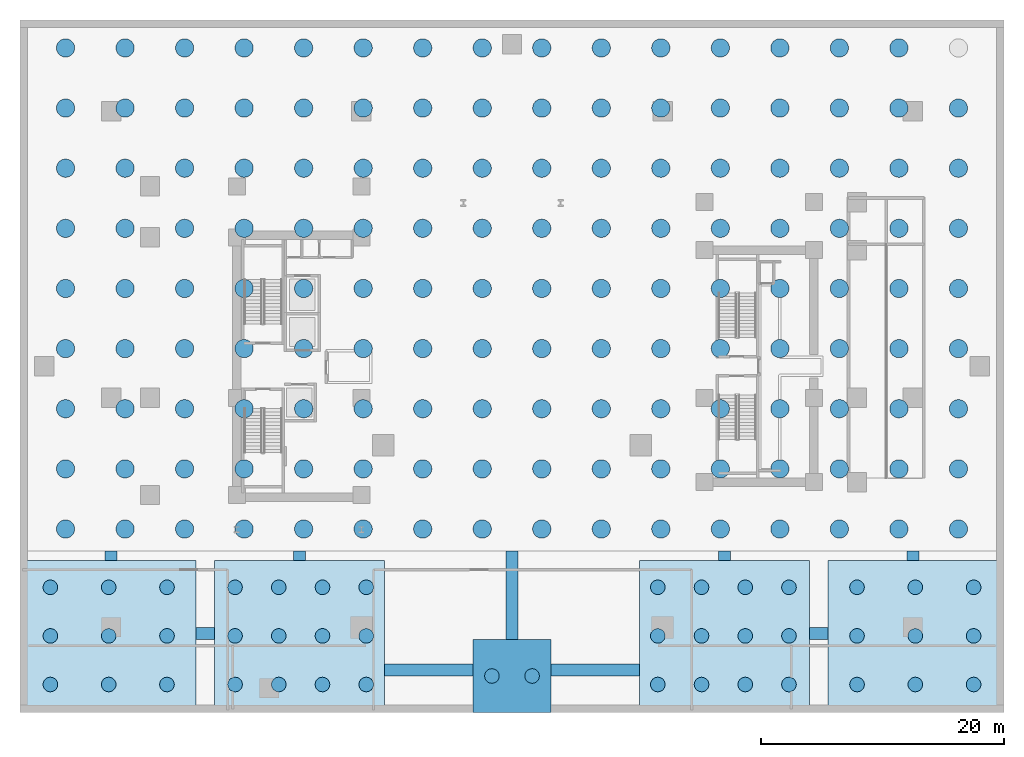
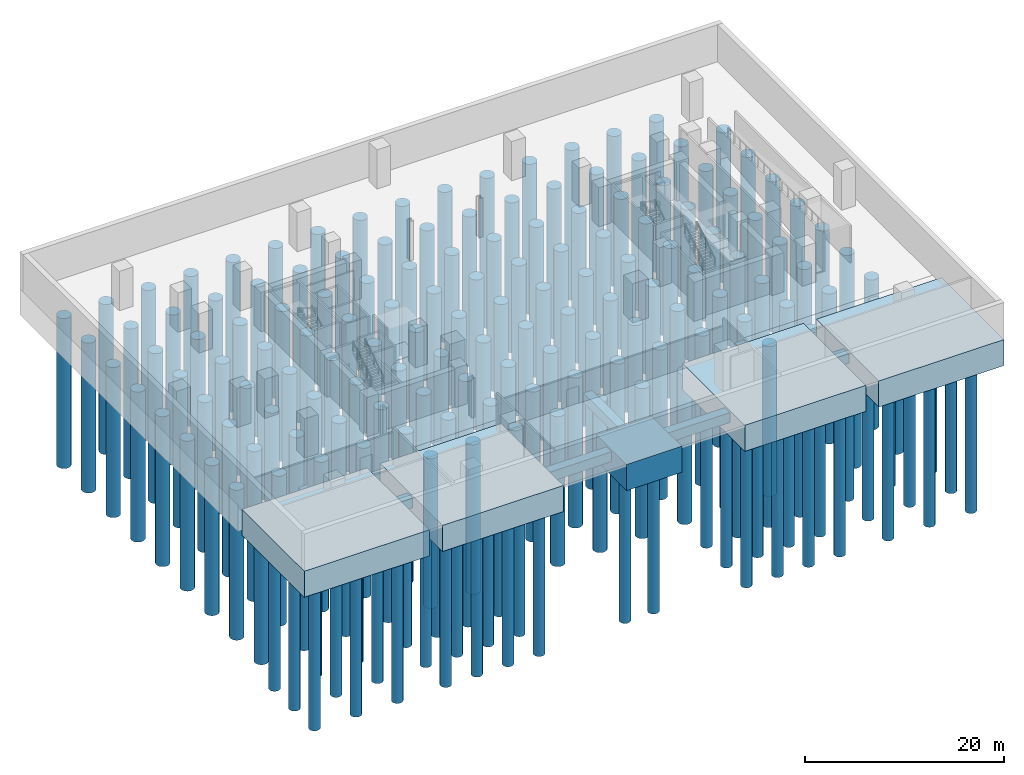
# One storey, part 1 of 10: 187 piles, 14 footings.
"""IFC4 building model written with IfcOpenShell, lengths in metres."""

from ifc_helpers import new_model, si_unit, direction, frame, origin, origin_2d, place, context, subcontext, project, spatial, polyline, rectangle, circle, outline, extrude, source, transform, mapped, material, material_profile, profile_set, type_object, element, save


model = new_model("IFC4")

# Units and contexts
model_context = context("Model", 3, precision=1e-05, world=origin(), true_north=direction((0.0, 1.0)))
body_context = subcontext(model_context, "Body", "Model", "MODEL_VIEW")
ifc_project = project(units=[si_unit("LENGTHUNIT", "METRE"), si_unit("AREAUNIT", "SQUARE_METRE"), si_unit("VOLUMEUNIT", "CUBIC_METRE"), si_unit("PLANEANGLEUNIT", "RADIAN"), si_unit("MASSUNIT", "GRAM", prefix="KILO")], contexts=[model_context])

# Site, building, storey
site_placement = place(None, origin())
site = spatial("IfcSite", under=ifc_project, at=site_placement, CompositionType="ELEMENT")
building_placement = place(site_placement, origin())
building = spatial("IfcBuilding", under=site, at=building_placement, Name="Valdorenza Pilgrim Sanctuary Tower", CompositionType="ELEMENT")
storey_placement = place(building_placement, frame((0.0, 0.0, -9.60009765625)))
storey = spatial("IfcBuildingStorey", under=building, at=storey_placement, Name="B02", CompositionType="ELEMENT", Elevation=-9.60009765625)

# Footings
ifc_material = material(Name="Concrete C50/60", Category="concrete")
footing_type_1 = type_object("IfcFootingType", Name="FTG-GB-1000", PredefinedType="FOOTING_BEAM", material=ifc_material)
footing_1_placement = place(storey_placement, frame((0.0, 0.0, -1.4599609375)))
element("IfcFooting", 1, at=footing_1_placement, inside=storey, type_object=footing_type_1, Name="Foundation Tie Beam GB-SW-W", PredefinedType="FOOTING_BEAM", context=body_context, shape_type="SweptSolid", body=[
    extrude(outline(polyline([(-26.0, -22.5), (-24.5, -22.5), (-24.5, -21.5), (-26.0, -21.5), (-26.0, -22.5)])), origin(), (0.0, 0.0, 1.0), 1.199951171875),
])
footing_2_placement = place(storey_placement, frame((0.0, 0.0, -1.4599609375)))
element("IfcFooting", 2, at=footing_2_placement, inside=storey, type_object=footing_type_1, Name="Foundation Tie Beam GB-W-CTR", PredefinedType="FOOTING_BEAM", context=body_context, shape_type="SweptSolid", body=[
    extrude(outline(polyline([(-10.5, -25.5), (-3.199951171875, -25.5), (-3.199951171875, -24.5), (-10.5, -24.5), (-10.5, -25.5)])), origin(), (0.0, 0.0, 1.0), 1.199951171875),
])
footing_3_placement = place(storey_placement, frame((0.0, 0.0, -1.4599609375)))
element("IfcFooting", 3, at=footing_3_placement, inside=storey, type_object=footing_type_1, Name="Foundation Tie Beam GB-CTR-E", PredefinedType="FOOTING_BEAM", context=body_context, shape_type="SweptSolid", body=[
    extrude(outline(polyline([(3.199951171875, -25.5), (10.5, -25.5), (10.5, -24.5), (3.199951171875, -24.5), (3.199951171875, -25.5)])), origin(), (0.0, 0.0, 1.0), 1.199951171875),
])
footing_4_placement = place(storey_placement, frame((0.0, 0.0, -1.4599609375)))
element("IfcFooting", 4, at=footing_4_placement, inside=storey, type_object=footing_type_1, Name="Foundation Tie Beam GB-E-SE", PredefinedType="FOOTING_BEAM", context=body_context, shape_type="SweptSolid", body=[
    extrude(outline(polyline([(24.5, -22.5), (26.0, -22.5), (26.0, -21.5), (24.5, -21.5), (24.5, -22.5)])), origin(), (0.0, 0.0, 1.0), 1.199951171875),
])
footing_5_placement = place(storey_placement, frame((0.0, 0.0, -1.4599609375)))
element("IfcFooting", 5, at=footing_5_placement, inside=storey, type_object=footing_type_1, Name="Foundation Tie Beam GB-N-SW", PredefinedType="FOOTING_BEAM", context=body_context, shape_type="SweptSolid", body=[
    extrude(outline(polyline([(-33.5, -16.0), (-32.5, -16.0), (-32.5, -15.199951171875), (-33.5, -15.199951171875), (-33.5, -16.0)])), origin(), (0.0, 0.0, 1.0), 1.199951171875),
])
footing_6_placement = place(storey_placement, frame((0.0, 0.0, -1.4599609375)))
element("IfcFooting", 6, at=footing_6_placement, inside=storey, type_object=footing_type_1, Name="Foundation Tie Beam GB-N-WA", PredefinedType="FOOTING_BEAM", context=body_context, shape_type="SweptSolid", body=[
    extrude(outline(polyline([(-18.0, -16.0), (-17.0, -16.0), (-17.0, -15.199951171875), (-18.0, -15.199951171875), (-18.0, -16.0)])), origin(), (0.0, 0.0, 1.0), 1.199951171875),
])
footing_7_placement = place(storey_placement, frame((0.0, 0.0, -1.4599609375)))
element("IfcFooting", 7, at=footing_7_placement, inside=storey, type_object=footing_type_1, Name="Foundation Tie Beam GB-N-CT", PredefinedType="FOOTING_BEAM", context=body_context, shape_type="SweptSolid", body=[
    extrude(outline(polyline([(-0.5, -22.5), (0.5, -22.5), (0.5, -15.199951171875), (-0.5, -15.199951171875), (-0.5, -22.5)])), origin(), (0.0, 0.0, 1.0), 1.199951171875),
])
footing_8_placement = place(storey_placement, frame((0.0, 0.0, -1.4599609375)))
element("IfcFooting", 8, at=footing_8_placement, inside=storey, type_object=footing_type_1, Name="Foundation Tie Beam GB-N-EA", PredefinedType="FOOTING_BEAM", context=body_context, shape_type="SweptSolid", body=[
    extrude(outline(polyline([(17.0, -16.0), (18.0, -16.0), (18.0, -15.199951171875), (17.0, -15.199951171875), (17.0, -16.0)])), origin(), (0.0, 0.0, 1.0), 1.199951171875),
])
footing_9_placement = place(storey_placement, frame((0.0, 0.0, -1.4599609375)))
element("IfcFooting", 9, at=footing_9_placement, inside=storey, type_object=footing_type_1, Name="Foundation Tie Beam GB-N-SE", PredefinedType="FOOTING_BEAM", context=body_context, shape_type="SweptSolid", body=[
    extrude(outline(polyline([(32.5, -16.0), (33.5, -16.0), (33.5, -15.199951171875), (32.5, -15.199951171875), (32.5, -16.0)])), origin(), (0.0, 0.0, 1.0), 1.199951171875),
])
footing_type_2 = type_object("IfcFootingType", Name="FTG-PC1-14000", PredefinedType="PILE_CAP", material=ifc_material)
shared_shape_1 = source(origin(), body_context, "Body", "SweptSolid", [
    extrude(rectangle(XDim=14.0, YDim=12.5, at=origin_2d()), origin(), (0.0, 0.0, 1.0), 3.199951171875),
])
for number, where, z_axis, x_axis, name in (
    (10, (-17.5, -22.25, -3.19970703125), (0.0, 0.0, 1.0), (1.0, 0.0, 0.0), "West Arch Thrust Pile Cap PC-01"),
    (11, (17.5, -22.25, -3.19970703125), (0.0, 0.0, 1.0), (1.0, 0.0, 0.0), "East Arch Thrust Pile Cap PC-02"),
):
    element("IfcFooting", number, at=place(storey_placement, frame(where, z_axis=z_axis, x_axis=x_axis)), inside=storey, type_object=footing_type_2, Name=name, PredefinedType="PILE_CAP", context=body_context, shape_type="MappedRepresentation", body=[
        mapped(shared_shape_1, transform((0.0, 0.0, 0.0), x_axis=(1.0, 0.0, 0.0), y_axis=(0.0, 1.0, 0.0), z_axis=(0.0, 0.0, 1.0), scale=1.0)),
    ])
footing_type_3 = type_object("IfcFootingType", Name="FTG-PC3-12000", PredefinedType="PILE_CAP", material=ifc_material)
shared_shape_2 = source(origin(), body_context, "Body", "SweptSolid", [
    extrude(rectangle(XDim=14.5, YDim=12.5, at=origin_2d()), origin(), (0.0, 0.0, 1.0), 3.199951171875),
])
for number, where, z_axis, x_axis, name in (
    (12, (-33.25, -22.25, -3.19970703125), (0.0, 0.0, 1.0), (1.0, 0.0, 0.0), "South-West Podium Pile Cap PC-03"),
    (13, (33.25, -22.25, -3.19970703125), (0.0, 0.0, 1.0), (1.0, 0.0, 0.0), "South-East Podium Pile Cap PC-04"),
):
    element("IfcFooting", number, at=place(storey_placement, frame(where, z_axis=z_axis, x_axis=x_axis)), inside=storey, type_object=footing_type_3, Name=name, PredefinedType="PILE_CAP", context=body_context, shape_type="MappedRepresentation", body=[
        mapped(shared_shape_2, transform((0.0, 0.0, 0.0), x_axis=(1.0, 0.0, 0.0), y_axis=(0.0, 1.0, 0.0), z_axis=(0.0, 0.0, 1.0), scale=1.0)),
    ])
footing_type_4 = type_object("IfcFootingType", Name="FTG-PC5-6400", PredefinedType="PILE_CAP", material=ifc_material)
shared_shape_3 = source(origin(), body_context, "Body", "SweptSolid", [
    extrude(rectangle(XDim=6.39990234375, YDim=6.0, at=origin_2d()), origin(), (0.0, 0.0, 1.0), 3.199951171875),
])
footing_10_placement = place(storey_placement, frame((0.0, -25.5, -3.19970703125), z_axis=(0.0, 0.0, 1.0), x_axis=(1.0, 0.0, 0.0)))
element("IfcFooting", 14, at=footing_10_placement, inside=storey, type_object=footing_type_4, Name="Central Arch Threshold Pile Cap PC-05", PredefinedType="PILE_CAP", context=body_context, shape_type="MappedRepresentation", body=[
    mapped(shared_shape_3, transform((0.0, 0.0, 0.0), x_axis=(1.0, 0.0, 0.0), y_axis=(0.0, 1.0, 0.0), z_axis=(0.0, 0.0, 1.0), scale=1.0)),
])

# Piles
ifc_material_profile_1 = material_profile(ifc_material, circle(Radius=0.75, at=origin_2d()), Name="BORED PILE 1500")
ifc_profile_set_1 = profile_set([ifc_material_profile_1], Name="Concrete C50/60")
pile_type_1 = type_object("IfcPileType", Name="PIL-BOR-1500", PredefinedType="BORED", material=ifc_profile_set_1)
shared_shape_4 = source(origin(), body_context, "Body", "SweptSolid", [
    extrude(circle(Radius=0.75, at=origin_2d()), origin(), (0.0, 0.0, 1.0), 18.35009765625),
])
for number, where, z_axis, x_axis, name in (
    (15, (-36.75, -13.39990234375, -3.0498046875), (0.0, 0.0, -1.0), (1.0, 0.0, 0.0), "Bored Pile P-01 R01-01"),
    (16, (-36.75, -8.449951171875, -3.0498046875), (0.0, 0.0, -1.0), (1.0, 0.0, 0.0), "Bored Pile P-01 R01-02"),
    (17, (-36.75, -3.5, -3.0498046875), (0.0, 0.0, -1.0), (1.0, 0.0, 0.0), "Bored Pile P-01 R01-03"),
    (18, (-36.75, 1.449951171875, -3.0498046875), (0.0, 0.0, -1.0), (1.0, 0.0, 0.0), "Bored Pile P-01 R01-04"),
    (19, (-36.75, 6.39990234375, -3.0498046875), (0.0, 0.0, -1.0), (1.0, 0.0, 0.0), "Bored Pile P-01 R01-05"),
    (20, (-36.75, 11.35009765625, -3.0498046875), (0.0, 0.0, -1.0), (1.0, 0.0, 0.0), "Bored Pile P-01 R01-06"),
    (21, (-36.75, 16.300048828125, -3.0498046875), (0.0, 0.0, -1.0), (1.0, 0.0, 0.0), "Bored Pile P-01 R01-07"),
    (22, (-36.75, 21.25, -3.0498046875), (0.0, 0.0, -1.0), (1.0, 0.0, 0.0), "Bored Pile P-01 R01-08"),
    (23, (-36.75, 26.199951171875, -3.0498046875), (0.0, 0.0, -1.0), (1.0, 0.0, 0.0), "Bored Pile P-01 R01-09"),
    (24, (-31.85009765625, -13.39990234375, -3.0498046875), (0.0, 0.0, -1.0), (1.0, 0.0, 0.0), "Bored Pile P-01 R02-01"),
    (25, (-31.85009765625, -8.449951171875, -3.0498046875), (0.0, 0.0, -1.0), (1.0, 0.0, 0.0), "Bored Pile P-01 R02-02"),
    (26, (-31.85009765625, -3.5, -3.0498046875), (0.0, 0.0, -1.0), (1.0, 0.0, 0.0), "Bored Pile P-01 R02-03"),
    (27, (-31.85009765625, 1.449951171875, -3.0498046875), (0.0, 0.0, -1.0), (1.0, 0.0, 0.0), "Bored Pile P-01 R02-04"),
    (28, (-31.85009765625, 6.39990234375, -3.0498046875), (0.0, 0.0, -1.0), (1.0, 0.0, 0.0), "Bored Pile P-01 R02-05"),
    (29, (-31.85009765625, 11.35009765625, -3.0498046875), (0.0, 0.0, -1.0), (1.0, 0.0, 0.0), "Bored Pile P-01 R02-06"),
    (30, (-31.85009765625, 16.300048828125, -3.0498046875), (0.0, 0.0, -1.0), (1.0, 0.0, 0.0), "Bored Pile P-01 R02-07"),
    (31, (-31.85009765625, 21.25, -3.0498046875), (0.0, 0.0, -1.0), (1.0, 0.0, 0.0), "Bored Pile P-01 R02-08"),
    (32, (-31.85009765625, 26.199951171875, -3.0498046875), (0.0, 0.0, -1.0), (1.0, 0.0, 0.0), "Bored Pile P-01 R02-09"),
    (33, (-26.949951171875, -13.39990234375, -3.0498046875), (0.0, 0.0, -1.0), (1.0, 0.0, 0.0), "Bored Pile P-01 R03-01"),
    (34, (-26.949951171875, -8.449951171875, -3.0498046875), (0.0, 0.0, -1.0), (1.0, 0.0, 0.0), "Bored Pile P-01 R03-02"),
    (35, (-26.949951171875, -3.5, -3.0498046875), (0.0, 0.0, -1.0), (1.0, 0.0, 0.0), "Bored Pile P-01 R03-03"),
    (36, (-26.949951171875, 1.449951171875, -3.0498046875), (0.0, 0.0, -1.0), (1.0, 0.0, 0.0), "Bored Pile P-01 R03-04"),
    (37, (-26.949951171875, 6.39990234375, -3.0498046875), (0.0, 0.0, -1.0), (1.0, 0.0, 0.0), "Bored Pile P-01 R03-05"),
    (38, (-26.949951171875, 11.35009765625, -3.0498046875), (0.0, 0.0, -1.0), (1.0, 0.0, 0.0), "Bored Pile P-01 R03-06"),
    (39, (-26.949951171875, 16.300048828125, -3.0498046875), (0.0, 0.0, -1.0), (1.0, 0.0, 0.0), "Bored Pile P-01 R03-07"),
    (40, (-26.949951171875, 21.25, -3.0498046875), (0.0, 0.0, -1.0), (1.0, 0.0, 0.0), "Bored Pile P-01 R03-08"),
    (41, (-26.949951171875, 26.199951171875, -3.0498046875), (0.0, 0.0, -1.0), (1.0, 0.0, 0.0), "Bored Pile P-01 R03-09"),
    (42, (-22.050048828125, -13.39990234375, -3.0498046875), (0.0, 0.0, -1.0), (1.0, 0.0, 0.0), "Bored Pile P-01 R04-01"),
    (43, (-22.050048828125, -8.449951171875, -3.0498046875), (0.0, 0.0, -1.0), (1.0, 0.0, 0.0), "Bored Pile P-01 R04-02"),
    (44, (-22.050048828125, -3.5, -3.0498046875), (0.0, 0.0, -1.0), (1.0, 0.0, 0.0), "Bored Pile P-01 R04-03"),
    (45, (-22.050048828125, 1.449951171875, -3.0498046875), (0.0, 0.0, -1.0), (1.0, 0.0, 0.0), "Bored Pile P-01 R04-04"),
    (46, (-22.050048828125, 6.39990234375, -3.0498046875), (0.0, 0.0, -1.0), (1.0, 0.0, 0.0), "Bored Pile P-01 R04-05"),
    (47, (-22.050048828125, 11.35009765625, -3.0498046875), (0.0, 0.0, -1.0), (1.0, 0.0, 0.0), "Bored Pile P-01 R04-06"),
    (48, (-22.050048828125, 16.300048828125, -3.0498046875), (0.0, 0.0, -1.0), (1.0, 0.0, 0.0), "Bored Pile P-01 R04-07"),
    (49, (-22.050048828125, 21.25, -3.0498046875), (0.0, 0.0, -1.0), (1.0, 0.0, 0.0), "Bored Pile P-01 R04-08"),
    (50, (-22.050048828125, 26.199951171875, -3.0498046875), (0.0, 0.0, -1.0), (1.0, 0.0, 0.0), "Bored Pile P-01 R04-09"),
    (51, (-17.14990234375, -13.39990234375, -3.0498046875), (0.0, 0.0, -1.0), (1.0, 0.0, 0.0), "Bored Pile P-01 R05-01"),
    (52, (-17.14990234375, -8.449951171875, -3.0498046875), (0.0, 0.0, -1.0), (1.0, 0.0, 0.0), "Bored Pile P-01 R05-02"),
    (53, (-17.14990234375, -3.5, -3.0498046875), (0.0, 0.0, -1.0), (1.0, 0.0, 0.0), "Bored Pile P-01 R05-03"),
    (54, (-17.14990234375, 1.449951171875, -3.0498046875), (0.0, 0.0, -1.0), (1.0, 0.0, 0.0), "Bored Pile P-01 R05-04"),
    (55, (-17.14990234375, 6.39990234375, -3.0498046875), (0.0, 0.0, -1.0), (1.0, 0.0, 0.0), "Bored Pile P-01 R05-05"),
    (56, (-17.14990234375, 11.35009765625, -3.0498046875), (0.0, 0.0, -1.0), (1.0, 0.0, 0.0), "Bored Pile P-01 R05-06"),
    (57, (-17.14990234375, 16.300048828125, -3.0498046875), (0.0, 0.0, -1.0), (1.0, 0.0, 0.0), "Bored Pile P-01 R05-07"),
    (58, (-17.14990234375, 21.25, -3.0498046875), (0.0, 0.0, -1.0), (1.0, 0.0, 0.0), "Bored Pile P-01 R05-08"),
    (59, (-17.14990234375, 26.199951171875, -3.0498046875), (0.0, 0.0, -1.0), (1.0, 0.0, 0.0), "Bored Pile P-01 R05-09"),
    (60, (-12.25, -13.39990234375, -3.0498046875), (0.0, 0.0, -1.0), (1.0, 0.0, 0.0), "Bored Pile P-01 R06-01"),
    (61, (-12.25, -8.449951171875, -3.0498046875), (0.0, 0.0, -1.0), (1.0, 0.0, 0.0), "Bored Pile P-01 R06-02"),
    (62, (-12.25, -3.5, -3.0498046875), (0.0, 0.0, -1.0), (1.0, 0.0, 0.0), "Bored Pile P-01 R06-03"),
    (63, (-12.25, 1.449951171875, -3.0498046875), (0.0, 0.0, -1.0), (1.0, 0.0, 0.0), "Bored Pile P-01 R06-04"),
    (64, (-12.25, 6.39990234375, -3.0498046875), (0.0, 0.0, -1.0), (1.0, 0.0, 0.0), "Bored Pile P-01 R06-05"),
    (65, (-12.25, 11.35009765625, -3.0498046875), (0.0, 0.0, -1.0), (1.0, 0.0, 0.0), "Bored Pile P-01 R06-06"),
    (66, (-12.25, 16.300048828125, -3.0498046875), (0.0, 0.0, -1.0), (1.0, 0.0, 0.0), "Bored Pile P-01 R06-07"),
    (67, (-12.25, 21.25, -3.0498046875), (0.0, 0.0, -1.0), (1.0, 0.0, 0.0), "Bored Pile P-01 R06-08"),
    (68, (-12.25, 26.199951171875, -3.0498046875), (0.0, 0.0, -1.0), (1.0, 0.0, 0.0), "Bored Pile P-01 R06-09"),
    (69, (-7.35009765625, -13.39990234375, -3.0498046875), (0.0, 0.0, -1.0), (1.0, 0.0, 0.0), "Bored Pile P-01 R07-01"),
    (70, (-7.35009765625, -8.449951171875, -3.0498046875), (0.0, 0.0, -1.0), (1.0, 0.0, 0.0), "Bored Pile P-01 R07-02"),
    (71, (-7.35009765625, -3.5, -3.0498046875), (0.0, 0.0, -1.0), (1.0, 0.0, 0.0), "Bored Pile P-01 R07-03"),
    (72, (-7.35009765625, 1.449951171875, -3.0498046875), (0.0, 0.0, -1.0), (1.0, 0.0, 0.0), "Bored Pile P-01 R07-04"),
    (73, (-7.35009765625, 6.39990234375, -3.0498046875), (0.0, 0.0, -1.0), (1.0, 0.0, 0.0), "Bored Pile P-01 R07-05"),
    (74, (-7.35009765625, 11.35009765625, -3.0498046875), (0.0, 0.0, -1.0), (1.0, 0.0, 0.0), "Bored Pile P-01 R07-06"),
    (75, (-7.35009765625, 16.300048828125, -3.0498046875), (0.0, 0.0, -1.0), (1.0, 0.0, 0.0), "Bored Pile P-01 R07-07"),
    (76, (-7.35009765625, 21.25, -3.0498046875), (0.0, 0.0, -1.0), (1.0, 0.0, 0.0), "Bored Pile P-01 R07-08"),
    (77, (-7.35009765625, 26.199951171875, -3.0498046875), (0.0, 0.0, -1.0), (1.0, 0.0, 0.0), "Bored Pile P-01 R07-09"),
    (78, (-2.449951171875, -13.39990234375, -3.0498046875), (0.0, 0.0, -1.0), (1.0, 0.0, 0.0), "Bored Pile P-01 R08-01"),
    (79, (-2.449951171875, -8.449951171875, -3.0498046875), (0.0, 0.0, -1.0), (1.0, 0.0, 0.0), "Bored Pile P-01 R08-02"),
    (80, (-2.449951171875, -3.5, -3.0498046875), (0.0, 0.0, -1.0), (1.0, 0.0, 0.0), "Bored Pile P-01 R08-03"),
    (81, (-2.449951171875, 1.449951171875, -3.0498046875), (0.0, 0.0, -1.0), (1.0, 0.0, 0.0), "Bored Pile P-01 R08-04"),
    (82, (-2.449951171875, 6.39990234375, -3.0498046875), (0.0, 0.0, -1.0), (1.0, 0.0, 0.0), "Bored Pile P-01 R08-05"),
    (83, (-2.449951171875, 11.35009765625, -3.0498046875), (0.0, 0.0, -1.0), (1.0, 0.0, 0.0), "Bored Pile P-01 R08-06"),
    (84, (-2.449951171875, 16.300048828125, -3.0498046875), (0.0, 0.0, -1.0), (1.0, 0.0, 0.0), "Bored Pile P-01 R08-07"),
    (85, (-2.449951171875, 21.25, -3.0498046875), (0.0, 0.0, -1.0), (1.0, 0.0, 0.0), "Bored Pile P-01 R08-08"),
    (86, (-2.449951171875, 26.199951171875, -3.0498046875), (0.0, 0.0, -1.0), (1.0, 0.0, 0.0), "Bored Pile P-01 R08-09"),
    (87, (2.449951171875, -13.39990234375, -3.0498046875), (0.0, 0.0, -1.0), (1.0, 0.0, 0.0), "Bored Pile P-01 R09-01"),
    (88, (2.449951171875, -8.449951171875, -3.0498046875), (0.0, 0.0, -1.0), (1.0, 0.0, 0.0), "Bored Pile P-01 R09-02"),
    (89, (2.449951171875, -3.5, -3.0498046875), (0.0, 0.0, -1.0), (1.0, 0.0, 0.0), "Bored Pile P-01 R09-03"),
    (90, (2.449951171875, 1.449951171875, -3.0498046875), (0.0, 0.0, -1.0), (1.0, 0.0, 0.0), "Bored Pile P-01 R09-04"),
    (91, (2.449951171875, 6.39990234375, -3.0498046875), (0.0, 0.0, -1.0), (1.0, 0.0, 0.0), "Bored Pile P-01 R09-05"),
    (92, (2.449951171875, 11.35009765625, -3.0498046875), (0.0, 0.0, -1.0), (1.0, 0.0, 0.0), "Bored Pile P-01 R09-06"),
    (93, (2.449951171875, 16.300048828125, -3.0498046875), (0.0, 0.0, -1.0), (1.0, 0.0, 0.0), "Bored Pile P-01 R09-07"),
    (94, (2.449951171875, 21.25, -3.0498046875), (0.0, 0.0, -1.0), (1.0, 0.0, 0.0), "Bored Pile P-01 R09-08"),
    (95, (2.449951171875, 26.199951171875, -3.0498046875), (0.0, 0.0, -1.0), (1.0, 0.0, 0.0), "Bored Pile P-01 R09-09"),
    (96, (7.35009765625, -13.39990234375, -3.0498046875), (0.0, 0.0, -1.0), (1.0, 0.0, 0.0), "Bored Pile P-01 R10-01"),
    (97, (7.35009765625, -8.449951171875, -3.0498046875), (0.0, 0.0, -1.0), (1.0, 0.0, 0.0), "Bored Pile P-01 R10-02"),
    (98, (7.35009765625, -3.5, -3.0498046875), (0.0, 0.0, -1.0), (1.0, 0.0, 0.0), "Bored Pile P-01 R10-03"),
    (99, (7.35009765625, 1.449951171875, -3.0498046875), (0.0, 0.0, -1.0), (1.0, 0.0, 0.0), "Bored Pile P-01 R10-04"),
    (100, (7.35009765625, 6.39990234375, -3.0498046875), (0.0, 0.0, -1.0), (1.0, 0.0, 0.0), "Bored Pile P-01 R10-05"),
    (101, (7.35009765625, 11.35009765625, -3.0498046875), (0.0, 0.0, -1.0), (1.0, 0.0, 0.0), "Bored Pile P-01 R10-06"),
    (102, (7.35009765625, 16.300048828125, -3.0498046875), (0.0, 0.0, -1.0), (1.0, 0.0, 0.0), "Bored Pile P-01 R10-07"),
    (103, (7.35009765625, 21.25, -3.0498046875), (0.0, 0.0, -1.0), (1.0, 0.0, 0.0), "Bored Pile P-01 R10-08"),
    (104, (7.35009765625, 26.199951171875, -3.0498046875), (0.0, 0.0, -1.0), (1.0, 0.0, 0.0), "Bored Pile P-01 R10-09"),
    (105, (12.25, -13.39990234375, -3.0498046875), (0.0, 0.0, -1.0), (1.0, 0.0, 0.0), "Bored Pile P-01 R11-01"),
    (106, (12.25, -8.449951171875, -3.0498046875), (0.0, 0.0, -1.0), (1.0, 0.0, 0.0), "Bored Pile P-01 R11-02"),
    (107, (12.25, -3.5, -3.0498046875), (0.0, 0.0, -1.0), (1.0, 0.0, 0.0), "Bored Pile P-01 R11-03"),
    (108, (12.25, 1.449951171875, -3.0498046875), (0.0, 0.0, -1.0), (1.0, 0.0, 0.0), "Bored Pile P-01 R11-04"),
    (109, (12.25, 6.39990234375, -3.0498046875), (0.0, 0.0, -1.0), (1.0, 0.0, 0.0), "Bored Pile P-01 R11-05"),
    (110, (12.25, 11.35009765625, -3.0498046875), (0.0, 0.0, -1.0), (1.0, 0.0, 0.0), "Bored Pile P-01 R11-06"),
    (111, (12.25, 16.300048828125, -3.0498046875), (0.0, 0.0, -1.0), (1.0, 0.0, 0.0), "Bored Pile P-01 R11-07"),
    (112, (12.25, 21.25, -3.0498046875), (0.0, 0.0, -1.0), (1.0, 0.0, 0.0), "Bored Pile P-01 R11-08"),
    (113, (12.25, 26.199951171875, -3.0498046875), (0.0, 0.0, -1.0), (1.0, 0.0, 0.0), "Bored Pile P-01 R11-09"),
    (114, (17.14990234375, -13.39990234375, -3.0498046875), (0.0, 0.0, -1.0), (1.0, 0.0, 0.0), "Bored Pile P-01 R12-01"),
    (115, (17.14990234375, -8.449951171875, -3.0498046875), (0.0, 0.0, -1.0), (1.0, 0.0, 0.0), "Bored Pile P-01 R12-02"),
    (116, (17.14990234375, -3.5, -3.0498046875), (0.0, 0.0, -1.0), (1.0, 0.0, 0.0), "Bored Pile P-01 R12-03"),
    (117, (17.14990234375, 1.449951171875, -3.0498046875), (0.0, 0.0, -1.0), (1.0, 0.0, 0.0), "Bored Pile P-01 R12-04"),
    (118, (17.14990234375, 6.39990234375, -3.0498046875), (0.0, 0.0, -1.0), (1.0, 0.0, 0.0), "Bored Pile P-01 R12-05"),
    (119, (17.14990234375, 11.35009765625, -3.0498046875), (0.0, 0.0, -1.0), (1.0, 0.0, 0.0), "Bored Pile P-01 R12-06"),
    (120, (17.14990234375, 16.300048828125, -3.0498046875), (0.0, 0.0, -1.0), (1.0, 0.0, 0.0), "Bored Pile P-01 R12-07"),
    (121, (17.14990234375, 21.25, -3.0498046875), (0.0, 0.0, -1.0), (1.0, 0.0, 0.0), "Bored Pile P-01 R12-08"),
    (122, (17.14990234375, 26.199951171875, -3.0498046875), (0.0, 0.0, -1.0), (1.0, 0.0, 0.0), "Bored Pile P-01 R12-09"),
    (123, (22.050048828125, -13.39990234375, -3.0498046875), (0.0, 0.0, -1.0), (1.0, 0.0, 0.0), "Bored Pile P-01 R13-01"),
    (124, (22.050048828125, -8.449951171875, -3.0498046875), (0.0, 0.0, -1.0), (1.0, 0.0, 0.0), "Bored Pile P-01 R13-02"),
    (125, (22.050048828125, -3.5, -3.0498046875), (0.0, 0.0, -1.0), (1.0, 0.0, 0.0), "Bored Pile P-01 R13-03"),
    (126, (22.050048828125, 1.449951171875, -3.0498046875), (0.0, 0.0, -1.0), (1.0, 0.0, 0.0), "Bored Pile P-01 R13-04"),
    (127, (22.050048828125, 6.39990234375, -3.0498046875), (0.0, 0.0, -1.0), (1.0, 0.0, 0.0), "Bored Pile P-01 R13-05"),
    (128, (22.050048828125, 11.35009765625, -3.0498046875), (0.0, 0.0, -1.0), (1.0, 0.0, 0.0), "Bored Pile P-01 R13-06"),
    (129, (22.050048828125, 16.300048828125, -3.0498046875), (0.0, 0.0, -1.0), (1.0, 0.0, 0.0), "Bored Pile P-01 R13-07"),
    (130, (22.050048828125, 21.25, -3.0498046875), (0.0, 0.0, -1.0), (1.0, 0.0, 0.0), "Bored Pile P-01 R13-08"),
    (131, (22.050048828125, 26.199951171875, -3.0498046875), (0.0, 0.0, -1.0), (1.0, 0.0, 0.0), "Bored Pile P-01 R13-09"),
    (132, (26.949951171875, -13.39990234375, -3.0498046875), (0.0, 0.0, -1.0), (1.0, 0.0, 0.0), "Bored Pile P-01 R14-01"),
    (133, (26.949951171875, -8.449951171875, -3.0498046875), (0.0, 0.0, -1.0), (1.0, 0.0, 0.0), "Bored Pile P-01 R14-02"),
    (134, (26.949951171875, -3.5, -3.0498046875), (0.0, 0.0, -1.0), (1.0, 0.0, 0.0), "Bored Pile P-01 R14-03"),
    (135, (26.949951171875, 1.449951171875, -3.0498046875), (0.0, 0.0, -1.0), (1.0, 0.0, 0.0), "Bored Pile P-01 R14-04"),
    (136, (26.949951171875, 6.39990234375, -3.0498046875), (0.0, 0.0, -1.0), (1.0, 0.0, 0.0), "Bored Pile P-01 R14-05"),
    (137, (26.949951171875, 11.35009765625, -3.0498046875), (0.0, 0.0, -1.0), (1.0, 0.0, 0.0), "Bored Pile P-01 R14-06"),
    (138, (26.949951171875, 16.300048828125, -3.0498046875), (0.0, 0.0, -1.0), (1.0, 0.0, 0.0), "Bored Pile P-01 R14-07"),
    (139, (26.949951171875, 21.25, -3.0498046875), (0.0, 0.0, -1.0), (1.0, 0.0, 0.0), "Bored Pile P-01 R14-08"),
    (140, (26.949951171875, 26.199951171875, -3.0498046875), (0.0, 0.0, -1.0), (1.0, 0.0, 0.0), "Bored Pile P-01 R14-09"),
    (141, (31.85009765625, -13.39990234375, -3.0498046875), (0.0, 0.0, -1.0), (1.0, 0.0, 0.0), "Bored Pile P-01 R15-01"),
    (142, (31.85009765625, -8.449951171875, -3.0498046875), (0.0, 0.0, -1.0), (1.0, 0.0, 0.0), "Bored Pile P-01 R15-02"),
    (143, (31.85009765625, -3.5, -3.0498046875), (0.0, 0.0, -1.0), (1.0, 0.0, 0.0), "Bored Pile P-01 R15-03"),
    (144, (31.85009765625, 1.449951171875, -3.0498046875), (0.0, 0.0, -1.0), (1.0, 0.0, 0.0), "Bored Pile P-01 R15-04"),
    (145, (31.85009765625, 6.39990234375, -3.0498046875), (0.0, 0.0, -1.0), (1.0, 0.0, 0.0), "Bored Pile P-01 R15-05"),
    (146, (31.85009765625, 11.35009765625, -3.0498046875), (0.0, 0.0, -1.0), (1.0, 0.0, 0.0), "Bored Pile P-01 R15-06"),
    (147, (31.85009765625, 16.300048828125, -3.0498046875), (0.0, 0.0, -1.0), (1.0, 0.0, 0.0), "Bored Pile P-01 R15-07"),
    (148, (31.85009765625, 21.25, -3.0498046875), (0.0, 0.0, -1.0), (1.0, 0.0, 0.0), "Bored Pile P-01 R15-08"),
    (149, (31.85009765625, 26.199951171875, -3.0498046875), (0.0, 0.0, -1.0), (1.0, 0.0, 0.0), "Bored Pile P-01 R15-09"),
    (150, (36.75, -13.39990234375, -3.0498046875), (0.0, 0.0, -1.0), (1.0, 0.0, 0.0), "Bored Pile P-01 R16-01"),
    (151, (36.75, -8.449951171875, -3.0498046875), (0.0, 0.0, -1.0), (1.0, 0.0, 0.0), "Bored Pile P-01 R16-02"),
    (152, (36.75, -3.5, -3.0498046875), (0.0, 0.0, -1.0), (1.0, 0.0, 0.0), "Bored Pile P-01 R16-03"),
    (153, (36.75, 1.449951171875, -3.0498046875), (0.0, 0.0, -1.0), (1.0, 0.0, 0.0), "Bored Pile P-01 R16-04"),
    (154, (36.75, 6.39990234375, -3.0498046875), (0.0, 0.0, -1.0), (1.0, 0.0, 0.0), "Bored Pile P-01 R16-05"),
    (155, (36.75, 11.35009765625, -3.0498046875), (0.0, 0.0, -1.0), (1.0, 0.0, 0.0), "Bored Pile P-01 R16-06"),
    (156, (36.75, 16.300048828125, -3.0498046875), (0.0, 0.0, -1.0), (1.0, 0.0, 0.0), "Bored Pile P-01 R16-07"),
    (157, (36.75, 21.25, -3.0498046875), (0.0, 0.0, -1.0), (1.0, 0.0, 0.0), "Bored Pile P-01 R16-08"),
):
    element("IfcPile", number, at=place(storey_placement, frame(where, z_axis=z_axis, x_axis=x_axis)), inside=storey, type_object=pile_type_1, Name=name, PredefinedType="BORED", context=body_context, shape_type="MappedRepresentation", body=[
        mapped(shared_shape_4, transform((0.0, 0.0, 0.0), x_axis=(1.0, 0.0, 0.0), y_axis=(0.0, 1.0, 0.0), z_axis=(0.0, 0.0, 1.0), scale=1.0)),
    ])
ifc_material_profile_2 = material_profile(ifc_material, circle(Radius=0.60009765625, at=origin_2d()), Name="BORED PILE 1200")
ifc_profile_set_2 = profile_set([ifc_material_profile_2], Name="Concrete C50/60")
pile_type_2 = type_object("IfcPileType", Name="PIL-BOR-1200", PredefinedType="BORED", material=ifc_profile_set_2)
shared_shape_5 = source(origin(), body_context, "Body", "SweptSolid", [
    extrude(circle(Radius=0.60009765625, at=origin_2d()), origin(), (0.0, 0.0, 1.0), 18.35009765625),
])
for number, where, z_axis, x_axis, name in (
    (158, (-22.800048828125, -26.199951171875, -3.0498046875), (0.0, 0.0, -1.0), (1.0, 0.0, 0.0), "Bored Pile P-02 PC1-0101"),
    (159, (-22.800048828125, -22.199951171875, -3.0498046875), (0.0, 0.0, -1.0), (1.0, 0.0, 0.0), "Bored Pile P-02 PC1-0102"),
    (160, (-22.800048828125, -18.199951171875, -3.0498046875), (0.0, 0.0, -1.0), (1.0, 0.0, 0.0), "Bored Pile P-02 PC1-0103"),
    (161, (-19.199951171875, -26.199951171875, -3.0498046875), (0.0, 0.0, -1.0), (1.0, 0.0, 0.0), "Bored Pile P-02 PC1-0201"),
    (162, (-19.199951171875, -22.199951171875, -3.0498046875), (0.0, 0.0, -1.0), (1.0, 0.0, 0.0), "Bored Pile P-02 PC1-0202"),
    (163, (-19.199951171875, -18.199951171875, -3.0498046875), (0.0, 0.0, -1.0), (1.0, 0.0, 0.0), "Bored Pile P-02 PC1-0203"),
    (164, (-15.60009765625, -26.199951171875, -3.0498046875), (0.0, 0.0, -1.0), (1.0, 0.0, 0.0), "Bored Pile P-02 PC1-0301"),
    (165, (-15.60009765625, -22.199951171875, -3.0498046875), (0.0, 0.0, -1.0), (1.0, 0.0, 0.0), "Bored Pile P-02 PC1-0302"),
    (166, (-15.60009765625, -18.199951171875, -3.0498046875), (0.0, 0.0, -1.0), (1.0, 0.0, 0.0), "Bored Pile P-02 PC1-0303"),
    (167, (-12.0, -26.199951171875, -3.0498046875), (0.0, 0.0, -1.0), (1.0, 0.0, 0.0), "Bored Pile P-02 PC1-0401"),
    (168, (-12.0, -22.199951171875, -3.0498046875), (0.0, 0.0, -1.0), (1.0, 0.0, 0.0), "Bored Pile P-02 PC1-0402"),
    (169, (-12.0, -18.199951171875, -3.0498046875), (0.0, 0.0, -1.0), (1.0, 0.0, 0.0), "Bored Pile P-02 PC1-0403"),
    (170, (12.0, -26.199951171875, -3.0498046875), (0.0, 0.0, -1.0), (1.0, 0.0, 0.0), "Bored Pile P-02 PC2-0101"),
    (171, (12.0, -22.199951171875, -3.0498046875), (0.0, 0.0, -1.0), (1.0, 0.0, 0.0), "Bored Pile P-02 PC2-0102"),
    (172, (12.0, -18.199951171875, -3.0498046875), (0.0, 0.0, -1.0), (1.0, 0.0, 0.0), "Bored Pile P-02 PC2-0103"),
    (173, (15.60009765625, -26.199951171875, -3.0498046875), (0.0, 0.0, -1.0), (1.0, 0.0, 0.0), "Bored Pile P-02 PC2-0201"),
    (174, (15.60009765625, -22.199951171875, -3.0498046875), (0.0, 0.0, -1.0), (1.0, 0.0, 0.0), "Bored Pile P-02 PC2-0202"),
    (175, (15.60009765625, -18.199951171875, -3.0498046875), (0.0, 0.0, -1.0), (1.0, 0.0, 0.0), "Bored Pile P-02 PC2-0203"),
    (176, (19.199951171875, -26.199951171875, -3.0498046875), (0.0, 0.0, -1.0), (1.0, 0.0, 0.0), "Bored Pile P-02 PC2-0301"),
    (177, (19.199951171875, -22.199951171875, -3.0498046875), (0.0, 0.0, -1.0), (1.0, 0.0, 0.0), "Bored Pile P-02 PC2-0302"),
    (178, (19.199951171875, -18.199951171875, -3.0498046875), (0.0, 0.0, -1.0), (1.0, 0.0, 0.0), "Bored Pile P-02 PC2-0303"),
    (179, (22.800048828125, -26.199951171875, -3.0498046875), (0.0, 0.0, -1.0), (1.0, 0.0, 0.0), "Bored Pile P-02 PC2-0401"),
    (180, (22.800048828125, -22.199951171875, -3.0498046875), (0.0, 0.0, -1.0), (1.0, 0.0, 0.0), "Bored Pile P-02 PC2-0402"),
    (181, (22.800048828125, -18.199951171875, -3.0498046875), (0.0, 0.0, -1.0), (1.0, 0.0, 0.0), "Bored Pile P-02 PC2-0403"),
    (182, (-38.0, -26.199951171875, -3.0498046875), (0.0, 0.0, -1.0), (1.0, 0.0, 0.0), "Bored Pile P-02 PC3-0101"),
    (183, (-38.0, -22.199951171875, -3.0498046875), (0.0, 0.0, -1.0), (1.0, 0.0, 0.0), "Bored Pile P-02 PC3-0102"),
    (184, (-38.0, -18.199951171875, -3.0498046875), (0.0, 0.0, -1.0), (1.0, 0.0, 0.0), "Bored Pile P-02 PC3-0103"),
    (185, (-33.199951171875, -26.199951171875, -3.0498046875), (0.0, 0.0, -1.0), (1.0, 0.0, 0.0), "Bored Pile P-02 PC3-0201"),
    (186, (-33.199951171875, -22.199951171875, -3.0498046875), (0.0, 0.0, -1.0), (1.0, 0.0, 0.0), "Bored Pile P-02 PC3-0202"),
    (187, (-33.199951171875, -18.199951171875, -3.0498046875), (0.0, 0.0, -1.0), (1.0, 0.0, 0.0), "Bored Pile P-02 PC3-0203"),
    (188, (-28.39990234375, -26.199951171875, -3.0498046875), (0.0, 0.0, -1.0), (1.0, 0.0, 0.0), "Bored Pile P-02 PC3-0301"),
    (189, (-28.39990234375, -22.199951171875, -3.0498046875), (0.0, 0.0, -1.0), (1.0, 0.0, 0.0), "Bored Pile P-02 PC3-0302"),
    (190, (-28.39990234375, -18.199951171875, -3.0498046875), (0.0, 0.0, -1.0), (1.0, 0.0, 0.0), "Bored Pile P-02 PC3-0303"),
    (191, (28.39990234375, -26.199951171875, -3.0498046875), (0.0, 0.0, -1.0), (1.0, 0.0, 0.0), "Bored Pile P-02 PC4-0101"),
    (192, (28.39990234375, -22.199951171875, -3.0498046875), (0.0, 0.0, -1.0), (1.0, 0.0, 0.0), "Bored Pile P-02 PC4-0102"),
    (193, (28.39990234375, -18.199951171875, -3.0498046875), (0.0, 0.0, -1.0), (1.0, 0.0, 0.0), "Bored Pile P-02 PC4-0103"),
    (194, (33.199951171875, -26.199951171875, -3.0498046875), (0.0, 0.0, -1.0), (1.0, 0.0, 0.0), "Bored Pile P-02 PC4-0201"),
    (195, (33.199951171875, -22.199951171875, -3.0498046875), (0.0, 0.0, -1.0), (1.0, 0.0, 0.0), "Bored Pile P-02 PC4-0202"),
    (196, (33.199951171875, -18.199951171875, -3.0498046875), (0.0, 0.0, -1.0), (1.0, 0.0, 0.0), "Bored Pile P-02 PC4-0203"),
    (197, (38.0, -26.199951171875, -3.0498046875), (0.0, 0.0, -1.0), (1.0, 0.0, 0.0), "Bored Pile P-02 PC4-0301"),
    (198, (38.0, -22.199951171875, -3.0498046875), (0.0, 0.0, -1.0), (1.0, 0.0, 0.0), "Bored Pile P-02 PC4-0302"),
    (199, (38.0, -18.199951171875, -3.0498046875), (0.0, 0.0, -1.0), (1.0, 0.0, 0.0), "Bored Pile P-02 PC4-0303"),
    (200, (-1.64990234375, -25.5, -3.0498046875), (0.0, 0.0, -1.0), (1.0, 0.0, 0.0), "Bored Pile P-02 PC5-0101"),
    (201, (1.64990234375, -25.5, -3.0498046875), (0.0, 0.0, -1.0), (1.0, 0.0, 0.0), "Bored Pile P-02 PC5-0201"),
):
    element("IfcPile", number, at=place(storey_placement, frame(where, z_axis=z_axis, x_axis=x_axis)), inside=storey, type_object=pile_type_2, Name=name, PredefinedType="BORED", context=body_context, shape_type="MappedRepresentation", body=[
        mapped(shared_shape_5, transform((0.0, 0.0, 0.0), x_axis=(1.0, 0.0, 0.0), y_axis=(0.0, 1.0, 0.0), z_axis=(0.0, 0.0, 1.0), scale=1.0)),
    ])

save(model, "model.ifc")
